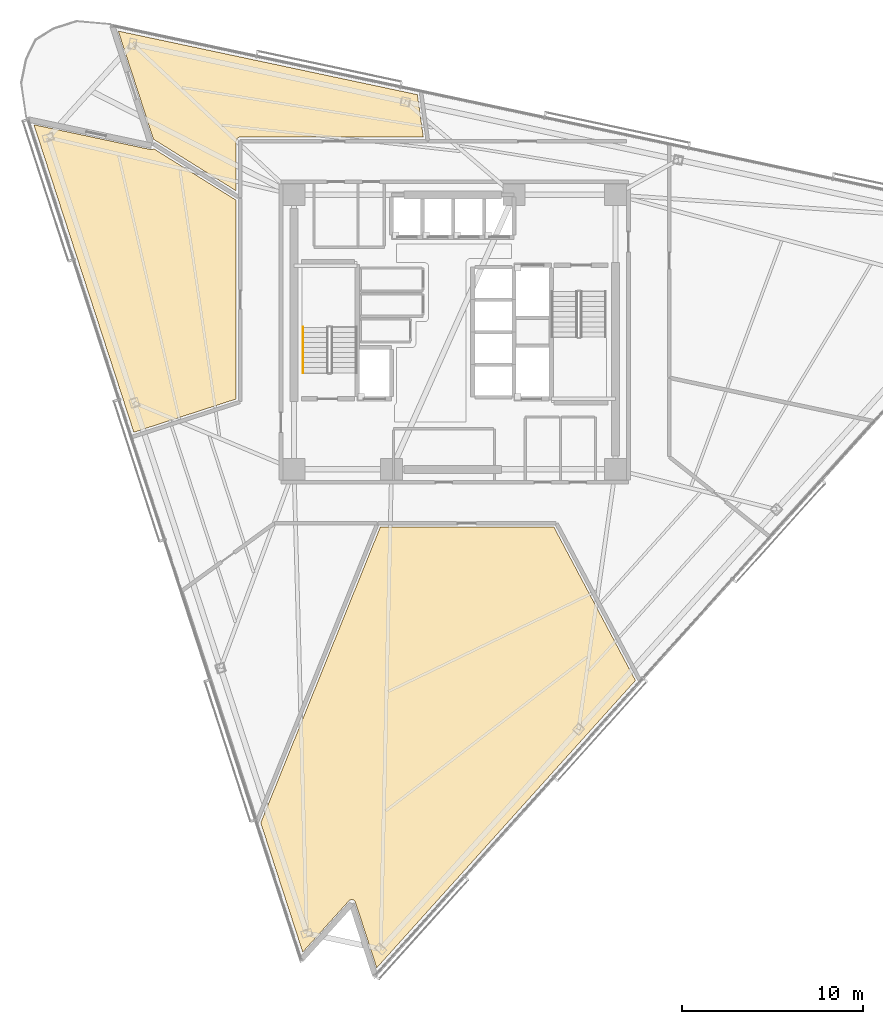
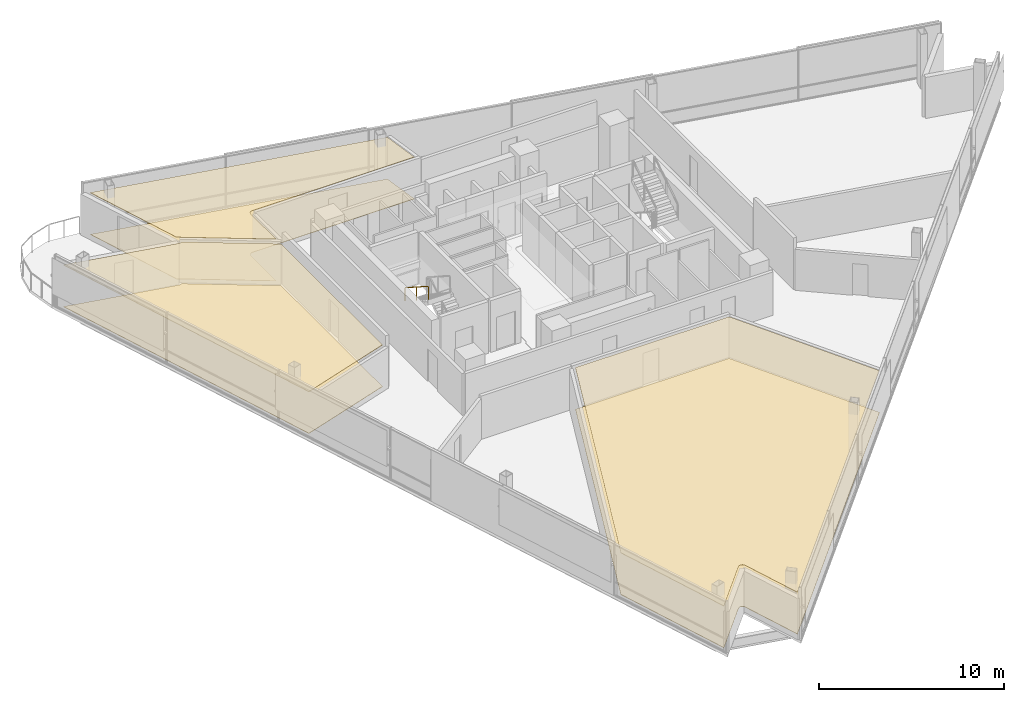
# One storey, part 15 of 17: 6 coverings, 1 railing.
"""IFC4 building model written with IfcOpenShell, lengths in metres."""

from ifc_helpers import new_model, si_unit, direction, frame, origin, origin_2d, place, context, subcontext, project, spatial, polyline, rectangle, outline, extrude, material, layer, layer_set, type_object, element, save


model = new_model("IFC4")

# Units and contexts
model_context = context("Model", 3, precision=1e-05, world=origin(), true_north=direction((0.0, 1.0)))
body_context = subcontext(model_context, "Body", "Model", "MODEL_VIEW")
ifc_project = project(units=[si_unit("LENGTHUNIT", "METRE"), si_unit("AREAUNIT", "SQUARE_METRE"), si_unit("VOLUMEUNIT", "CUBIC_METRE"), si_unit("PLANEANGLEUNIT", "RADIAN"), si_unit("MASSUNIT", "GRAM", prefix="KILO")], contexts=[model_context])

# Site, building, storey
site_placement = place(None, origin())
site = spatial("IfcSite", under=ifc_project, at=site_placement, CompositionType="ELEMENT")
building_placement = place(site_placement, origin())
building = spatial("IfcBuilding", under=site, at=building_placement, Name="Tharavind Bronze Gate", CompositionType="ELEMENT")
storey_placement = place(building_placement, frame((0.0, 0.0, 207.64990234375)))
storey = spatial("IfcBuildingStorey", under=building, at=storey_placement, Name="L53", CompositionType="ELEMENT", Elevation=207.64990234375)

# Coverings
ifc_material_1 = material(Name="Perforated Bronze Acoustic Panel", Category="bronze")
ifc_layer_1 = layer(ifc_material_1, 0.044921875)
ifc_layer_set_1 = layer_set([ifc_layer_1], Name="Perforated Bronze Acoustic Panel")
covering_type_1 = type_object("IfcCoveringType", Name="ACOUSTIC BRONZE BAFFLE CEILING", PredefinedType="CEILING", material=ifc_layer_set_1)
covering_1_placement = place(storey_placement, frame((0.0, 0.0, 2.75)))
element("IfcCovering", 1, at=covering_1_placement, inside=storey, type_object=covering_type_1, Name="L53-RM-02 suspended ceiling", PredefinedType="CEILING", context=body_context, shape_type="SweptSolid", body=[
    extrude(outline(polyline([(-16.6875, 10.68701171875), (-12.10009765625, 7.8203125), (-12.10009765625, 10.579345703125), (-12.099609375, 10.590087890625), (-12.099609375, 10.5908203125), (-12.09765625, 10.6123046875), (-12.093505859375, 10.63330078125), (-12.087158203125, 10.654052734375), (-12.078857421875, 10.674072265625), (-12.068603515625, 10.693115234375), (-12.056640625, 10.7109375), (-12.04296875, 10.727783203125), (-12.027587890625, 10.742919921875), (-12.010986328125, 10.756591796875), (-11.9931640625, 10.768798828125), (-11.97412109375, 10.77880859375), (-11.9541015625, 10.787109375), (-11.933349609375, 10.79345703125), (-11.912353515625, 10.797607421875), (-11.890869140625, 10.7998046875), (-11.89013671875, 10.7998046875), (-11.87939453125, 10.800048828125), (-1.739990234375, 10.800048828125), (-2.07080078125, 13.15283203125), (-18.6328125, 16.673095703125), (-16.6875, 10.68701171875)])), origin(), (0.0, 0.0, 1.0), 0.03515625),
])
ifc_material_2 = material(Name="Engineered Oak & Carpet Tile", Category="wood")
ifc_layer_2 = layer(ifc_material_2, 0.02490234375)
ifc_layer_set_2 = layer_set([ifc_layer_2], Name="Engineered Oak & Carpet Tile")
covering_type_2 = type_object("IfcCoveringType", Name="ENGINEERED TIMBER FLOORING", PredefinedType="FLOORING", material=ifc_layer_set_2)
covering_2_placement = place(storey_placement, origin())
element("IfcCovering", 2, at=covering_2_placement, inside=storey, type_object=covering_type_2, Name="L53-RM-02 floor finish", PredefinedType="FLOORING", context=body_context, shape_type="SweptSolid", body=[
    extrude(outline(polyline([(-16.6875, 10.68701171875), (-12.10009765625, 7.8203125), (-12.10009765625, 10.579345703125), (-12.099609375, 10.590087890625), (-12.099609375, 10.5908203125), (-12.09765625, 10.6123046875), (-12.093505859375, 10.63330078125), (-12.087158203125, 10.654052734375), (-12.078857421875, 10.674072265625), (-12.068603515625, 10.693115234375), (-12.056640625, 10.7109375), (-12.04296875, 10.727783203125), (-12.027587890625, 10.742919921875), (-12.010986328125, 10.756591796875), (-11.9931640625, 10.768798828125), (-11.97412109375, 10.77880859375), (-11.9541015625, 10.787109375), (-11.933349609375, 10.79345703125), (-11.912353515625, 10.797607421875), (-11.890869140625, 10.7998046875), (-11.89013671875, 10.7998046875), (-11.87939453125, 10.800048828125), (-1.739990234375, 10.800048828125), (-2.07080078125, 13.15283203125), (-18.6328125, 16.673095703125), (-16.6875, 10.68701171875)])), origin(), (0.0, 0.0, 1.0), 0.025146484375),
])
covering_3_placement = place(storey_placement, origin())
element("IfcCovering", 3, at=covering_3_placement, inside=storey, type_object=covering_type_2, Name="L53-RM-03 floor finish", PredefinedType="FLOORING", context=body_context, shape_type="SweptSolid", body=[
    extrude(outline(polyline([(-17.770263671875, -5.54248046875), (-12.10009765625, -3.7001953125), (-12.10009765625, 7.301513671875), (-16.667724609375, 10.15576171875), (-16.671630859375, 10.152587890625), (-16.68994140625, 10.140380859375), (-16.709228515625, 10.130126953125), (-16.7294921875, 10.121826171875), (-16.75048828125, 10.115478515625), (-16.772216796875, 10.111572265625), (-16.7939453125, 10.109619140625), (-16.81591796875, 10.109619140625), (-16.837646484375, 10.112060546875), (-16.83837890625, 10.1123046875), (-16.84912109375, 10.1142578125), (-23.30322265625, 11.486083984375), (-17.770263671875, -5.54248046875)])), origin(), (0.0, 0.0, 1.0), 0.025146484375),
])
covering_4_placement = place(storey_placement, origin())
element("IfcCovering", 4, at=covering_4_placement, inside=storey, type_object=covering_type_2, Name="L53-RM-05 floor finish", PredefinedType="FLOORING", context=body_context, shape_type="SweptSolid", body=[
    extrude(outline(polyline([(-8.417236328125, -34.328369140625), (-5.870361328125, -31.499755859375), (-5.86279296875, -31.49169921875), (-5.8623046875, -31.4912109375), (-5.84619140625, -31.4765625), (-5.82861328125, -31.46337890625), (-5.809814453125, -31.4521484375), (-5.789794921875, -31.44287109375), (-5.769287109375, -31.435546875), (-5.747802734375, -31.430419921875), (-5.72607421875, -31.42724609375), (-5.7041015625, -31.426513671875), (-5.682373046875, -31.427734375), (-5.66064453125, -31.431396484375), (-5.639404296875, -31.43701171875), (-5.618896484375, -31.444580078125), (-5.599365234375, -31.454345703125), (-5.580810546875, -31.4658203125), (-5.563232421875, -31.479248046875), (-5.54736328125, -31.494384765625), (-5.532958984375, -31.510986328125), (-5.5205078125, -31.52880859375), (-5.509521484375, -31.548095703125), (-5.500732421875, -31.568115234375), (-5.50048828125, -31.568603515625), (-5.4970703125, -31.5791015625), (-4.32080078125, -35.19921875), (10.006103515625, -19.28759765625), (5.493408203125, -10.800048828125), (-4.126220703125, -10.800048828125), (-10.74169921875, -27.174072265625), (-8.417236328125, -34.328369140625)])), origin(), (0.0, 0.0, 1.0), 0.025146484375),
])
ifc_material_3 = material(Name="Acoustic Gypsum Board", Category="gypsum")
ifc_layer_3 = layer(ifc_material_3, 0.030029296875)
ifc_layer_set_3 = layer_set([ifc_layer_3], Name="Acoustic Gypsum Board")
covering_type_3 = type_object("IfcCoveringType", Name="GYPSUM SUSPENDED CEILING", PredefinedType="CEILING", material=ifc_layer_set_3)
covering_5_placement = place(storey_placement, frame((0.0, 0.0, 2.75)))
element("IfcCovering", 5, at=covering_5_placement, inside=storey, type_object=covering_type_3, Name="L53-RM-03 suspended ceiling", PredefinedType="CEILING", context=body_context, shape_type="SweptSolid", body=[
    extrude(outline(polyline([(-17.770263671875, -5.54248046875), (-12.10009765625, -3.7001953125), (-12.10009765625, 7.301513671875), (-16.667724609375, 10.15576171875), (-16.671630859375, 10.152587890625), (-16.68994140625, 10.140380859375), (-16.709228515625, 10.130126953125), (-16.7294921875, 10.121826171875), (-16.75048828125, 10.115478515625), (-16.772216796875, 10.111572265625), (-16.7939453125, 10.109619140625), (-16.81591796875, 10.109619140625), (-16.837646484375, 10.112060546875), (-16.83837890625, 10.1123046875), (-16.84912109375, 10.1142578125), (-23.30322265625, 11.486083984375), (-17.770263671875, -5.54248046875)])), origin(), (0.0, 0.0, 1.0), 0.03515625),
])
covering_6_placement = place(storey_placement, frame((0.0, 0.0, 2.75)))
element("IfcCovering", 6, at=covering_6_placement, inside=storey, type_object=covering_type_3, Name="L53-RM-05 suspended ceiling", PredefinedType="CEILING", context=body_context, shape_type="SweptSolid", body=[
    extrude(outline(polyline([(-8.417236328125, -34.328369140625), (-5.870361328125, -31.499755859375), (-5.86279296875, -31.49169921875), (-5.8623046875, -31.4912109375), (-5.84619140625, -31.4765625), (-5.82861328125, -31.46337890625), (-5.809814453125, -31.4521484375), (-5.789794921875, -31.44287109375), (-5.769287109375, -31.435546875), (-5.747802734375, -31.430419921875), (-5.72607421875, -31.42724609375), (-5.7041015625, -31.426513671875), (-5.682373046875, -31.427734375), (-5.66064453125, -31.431396484375), (-5.639404296875, -31.43701171875), (-5.618896484375, -31.444580078125), (-5.599365234375, -31.454345703125), (-5.580810546875, -31.4658203125), (-5.563232421875, -31.479248046875), (-5.54736328125, -31.494384765625), (-5.532958984375, -31.510986328125), (-5.5205078125, -31.52880859375), (-5.509521484375, -31.548095703125), (-5.500732421875, -31.568115234375), (-5.50048828125, -31.568603515625), (-5.4970703125, -31.5791015625), (-4.32080078125, -35.19921875), (10.006103515625, -19.28759765625), (5.493408203125, -10.800048828125), (-4.126220703125, -10.800048828125), (-10.74169921875, -27.174072265625), (-8.417236328125, -34.328369140625)])), origin(), (0.0, 0.0, 1.0), 0.03515625),
])

# Railing
ifc_material_4 = material(Name="Brushed Bronze Alloy", Category="metal")
railing_type = type_object("IfcRailingType", Name="STAIR BRONZE HANDRAIL 900", PredefinedType="HANDRAIL", material=ifc_material_4)
railing_placement = place(storey_placement, frame((-8.39990234375, 0.27001953125, 1.97998046875)))
element("IfcRailing", 7, at=railing_placement, inside=storey, type_object=railing_type, Name="L53 ST1 stair handrail 2", PredefinedType="HANDRAIL", context=body_context, shape_type="SweptSolid", body=[
    extrude(rectangle(XDim=0.048095703125, YDim=0.048095703125, at=origin_2d()), frame((0.0, -0.02685546875, 0.89306640625), z_axis=(0.0, -0.841162588446, 0.540782303519), x_axis=(1.0, 0.0, 0.0)), (0.0, 0.0, 1.0), 2.931884765625),
    extrude(rectangle(XDim=0.0400390625, YDim=0.0400390625, at=origin_2d()), origin(), (0.0, 0.0, 1.0), 0.847900390625),
    extrude(rectangle(XDim=0.0400390625, YDim=0.0400390625, at=origin_2d()), frame((0.0, -1.260009765625, 0.81005859375)), (0.0, 0.0, 1.0), 0.847900390625),
    extrude(rectangle(XDim=0.0400390625, YDim=0.0400390625, at=origin_2d()), frame((0.0, -2.52001953125, 1.6201171875)), (0.0, 0.0, 1.0), 0.847900390625),
])

save(model, "model.ifc")
